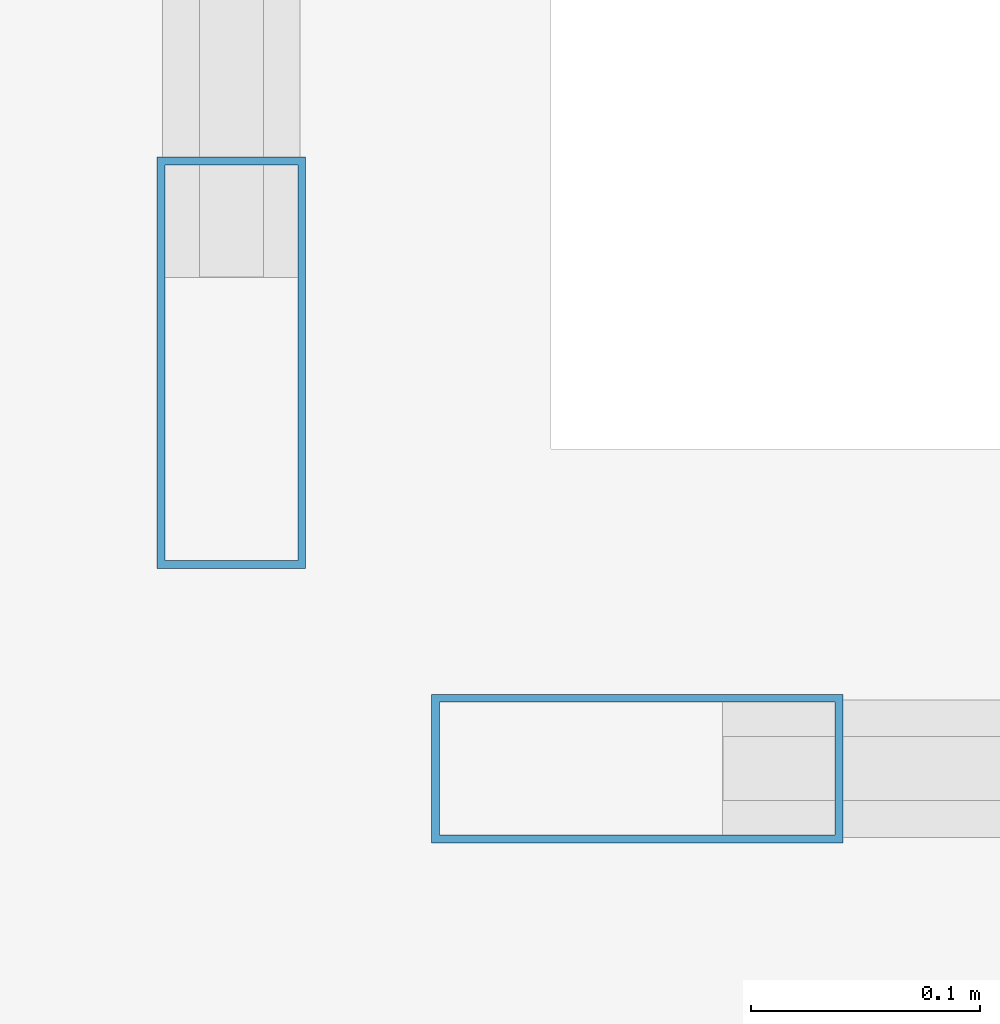
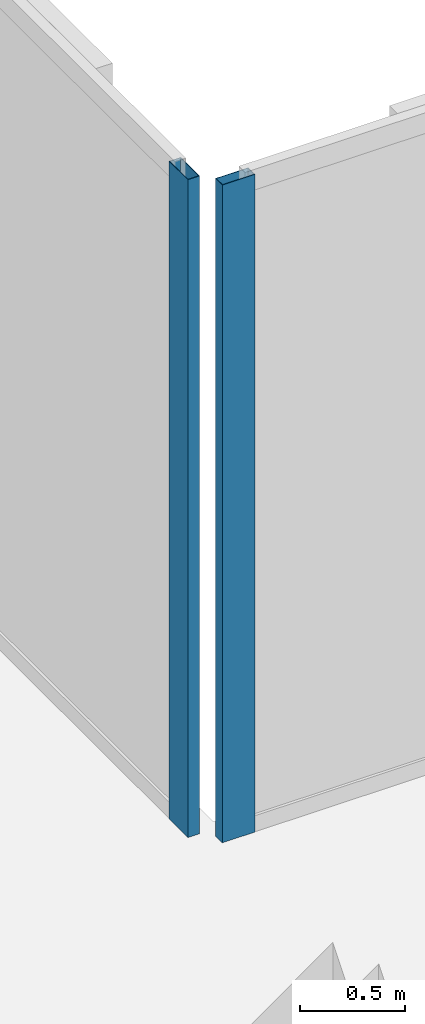
# One storey, part 19 of 29: 2 members, 2 elements without a shape of their own.
"""IFC4 building model written with IfcOpenShell, lengths in metres."""

from ifc_helpers import new_model, si_unit, direction, frame, origin, origin_2d, place, context, subcontext, project, spatial, hollow_rectangle, extrude, material, layer, layer_set, material_profile, profile_set, type_object, element, aggregate, save


model = new_model("IFC4")

# Units and contexts
model_context = context("Model", 3, precision=1e-05, world=origin(), true_north=direction((0.0, 1.0)))
body_context = subcontext(model_context, "Body", "Model", "MODEL_VIEW")
ifc_project = project(units=[si_unit("LENGTHUNIT", "METRE"), si_unit("AREAUNIT", "SQUARE_METRE"), si_unit("VOLUMEUNIT", "CUBIC_METRE"), si_unit("PLANEANGLEUNIT", "RADIAN"), si_unit("MASSUNIT", "GRAM", prefix="KILO")], contexts=[model_context])

# Site, building, storey
site_placement = place(None, origin())
site = spatial("IfcSite", under=ifc_project, at=site_placement, CompositionType="ELEMENT")
building_placement = place(site_placement, origin())
building = spatial("IfcBuilding", under=site, at=building_placement, Name="Nerrivon Quay Data Exchange", CompositionType="ELEMENT")
storey_placement = place(building_placement, frame((0.0, 0.0, 175.5)))
storey = spatial("IfcBuildingStorey", under=building, at=storey_placement, Name="L41", CompositionType="ELEMENT", Elevation=175.5)

# Curtain wall, member
ifc_material = material(Name="Anodised aluminium 6063-T6", Category="aluminium")
ifc_layer = layer(ifc_material, 0.195068359375)
ifc_layer_set = layer_set([ifc_layer], Name="Anodised aluminium 6063-T6")
curtain_wall_type = type_object("IfcCurtainWallType", Name="CW-SYS-06", PredefinedType="NOTDEFINED", material=ifc_layer_set)
curtain_wall_1_placement = place(storey_placement, origin())
curtain_wall_1 = element("IfcCurtainWall", 1, at=curtain_wall_1_placement, inside=storey, type_object=curtain_wall_type, Name="L41 Unitised Curtain Wall 11", PredefinedType="NOTDEFINED")
ifc_material_profile = material_profile(ifc_material, hollow_rectangle(XDim=0.06494140625, YDim=0.179931640625, WallThickness=0.00341796875, at=origin_2d()), Name="ALU-MULL-180x65")
ifc_profile_set = profile_set([ifc_material_profile], Name="Anodised aluminium 6063-T6")
member_type = type_object("IfcMemberType", Name="CWM-180x65", PredefinedType="MULLION", material=ifc_profile_set)
member_1_placement = place(storey_placement, frame((20.860107421875, 46.237548828125, 0.0), z_axis=(0.0, 0.0, 1.0), x_axis=(1.0, 0.0, 0.0)))
member_1 = element("IfcMember", 2, at=member_1_placement, type_object=member_type, Name="CW06 mullion 2", PredefinedType="MULLION", context=body_context, shape_type="SweptSolid", body=[
    extrude(hollow_rectangle(XDim=0.06494140625, YDim=0.179931640625, WallThickness=0.00341796875, at=origin_2d()), origin(), (0.0, 0.0, 1.0), 3.824951171875),
])
aggregate(curtain_wall_1, [member_1])

curtain_wall_2_placement = place(storey_placement, origin())
curtain_wall_2 = element("IfcCurtainWall", 3, at=curtain_wall_2_placement, inside=storey, type_object=curtain_wall_type, Name="L41 Unitised Curtain Wall 12", PredefinedType="NOTDEFINED")
member_2_placement = place(storey_placement, frame((21.03759765625, 46.06005859375, 0.0), z_axis=(0.0, 0.0, 1.0), x_axis=(0.0, 1.0, 0.0)))
member_2 = element("IfcMember", 4, at=member_2_placement, type_object=member_type, Name="CW06 mullion 1", PredefinedType="MULLION", context=body_context, shape_type="SweptSolid", body=[
    extrude(hollow_rectangle(XDim=0.06494140625, YDim=0.179931640625, WallThickness=0.00341796875, at=origin_2d()), origin(), (0.0, 0.0, 1.0), 3.824951171875),
])
aggregate(curtain_wall_2, [member_2])

save(model, "model.ifc")
